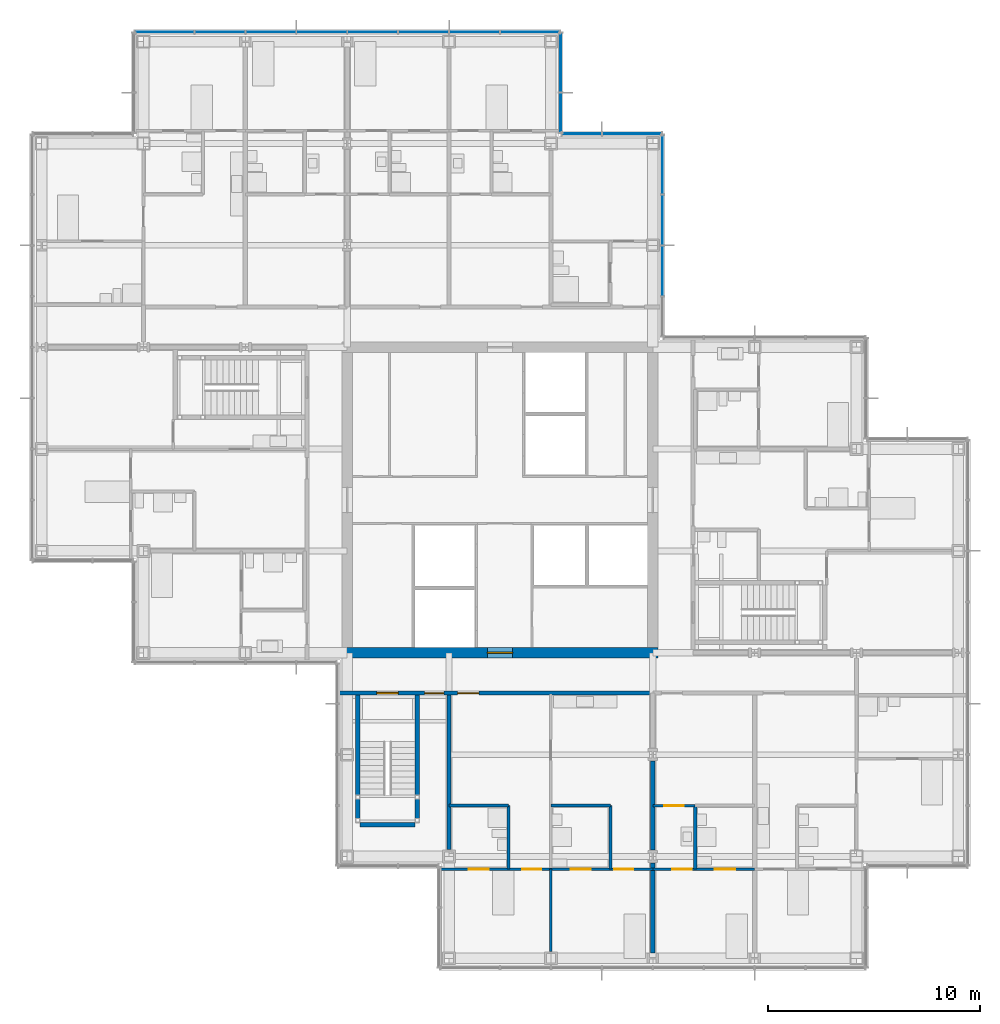
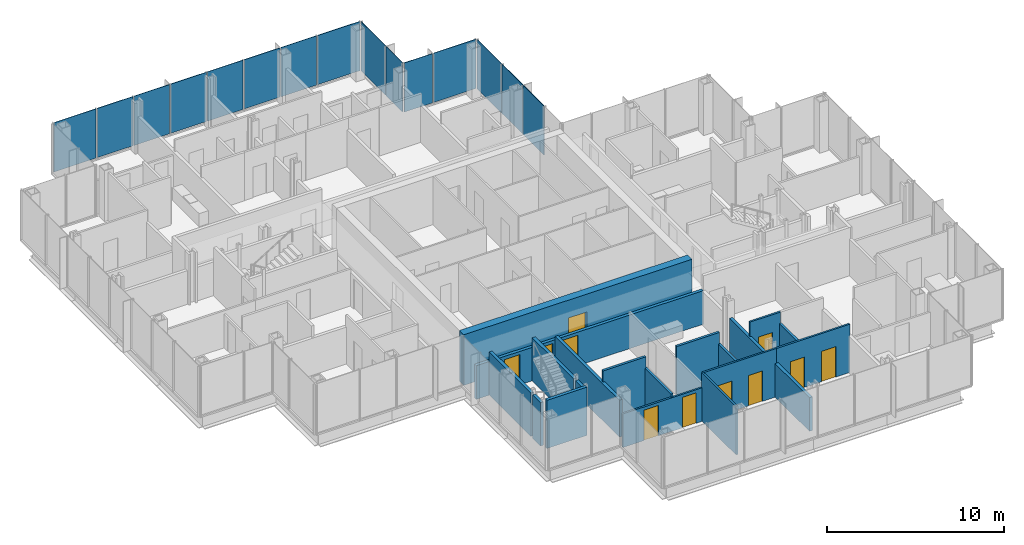
# One storey, part 13 of 20: 20 walls, 15 plates, 11 doors, 11 openings, 4 elements without a shape of their own.
"""IFC4 building model written with IfcOpenShell, lengths in metres."""

from ifc_helpers import new_model, si_unit, direction, frame, frame_2d, origin, origin_2d, place, context, subcontext, project, spatial, rectangle, extrude, material, layer, layer_set, type_object, element, fill, aggregate, save


model = new_model("IFC4")

# Units and contexts
model_context = context("Model", 3, precision=1e-05, world=origin(), true_north=direction((0.0, 1.0)))
body_context = subcontext(model_context, "Body", "Model", "MODEL_VIEW")
ifc_project = project(units=[si_unit("LENGTHUNIT", "METRE"), si_unit("AREAUNIT", "SQUARE_METRE"), si_unit("VOLUMEUNIT", "CUBIC_METRE"), si_unit("PLANEANGLEUNIT", "RADIAN"), si_unit("MASSUNIT", "GRAM", prefix="KILO")], contexts=[model_context])

# Site, building, storey
site_placement = place(None, origin())
site = spatial("IfcSite", under=ifc_project, at=site_placement, CompositionType="ELEMENT")
building_placement = place(site_placement, origin())
building = spatial("IfcBuilding", under=site, at=building_placement, Name="Kvirike Care Tower", CompositionType="ELEMENT")
storey_placement = place(building_placement, frame((0.0, 0.0, 115.5)))
storey = spatial("IfcBuildingStorey", under=building, at=storey_placement, Name="L31", CompositionType="ELEMENT", Elevation=115.5)

# Curtain wall, plates
ifc_material_1 = material(Name="Anodised aluminium stick system", Category="aluminium")
curtain_wall_type = type_object("IfcCurtainWallType", Name="CW-B STICK CURTAIN WALL", PredefinedType="NOTDEFINED", material=ifc_material_1)
curtain_wall_1_placement = place(storey_placement, origin())
curtain_wall_1 = element("IfcCurtainWall", 1, at=curtain_wall_1_placement, inside=storey, type_object=curtain_wall_type, Name="Curtain wall L31 face 5", PredefinedType="NOTDEFINED")
ifc_material_2 = material(Name="Tinted double glazed unit", Category="glass")
ifc_layer_1 = layer(ifc_material_2, 0.035888671875)
ifc_layer_set_1 = layer_set([ifc_layer_1], Name="TINTED VISION PANEL 36")
plate_type = type_object("IfcPlateType", Name="TINTED VISION PANEL 36", PredefinedType="CURTAIN_PANEL", material=ifc_layer_set_1)
plate_1_placement = place(storey_placement, frame((29.260009765625, 46.800048828125, 0.10009765625), z_axis=(0.0, 0.0, 1.0), x_axis=(0.0, 1.0, 0.0)))
plate_1 = element("IfcPlate", 2, at=plate_1_placement, type_object=plate_type, Name="CW-B panel L31 face 5.2", PredefinedType="CURTAIN_PANEL", context=body_context, shape_type="SweptSolid", body=[
    extrude(rectangle(XDim=2.3349609375, YDim=0.035888671875, at=origin_2d()), origin(), (0.0, 0.0, 1.0), 3.39990234375),
])
plate_2_placement = place(storey_placement, frame((29.260009765625, 49.199951171875, 0.10009765625), z_axis=(0.0, 0.0, 1.0), x_axis=(0.0, 1.0, 0.0)))
plate_2 = element("IfcPlate", 3, at=plate_2_placement, type_object=plate_type, Name="CW-B panel L31 face 5.3", PredefinedType="CURTAIN_PANEL", context=body_context, shape_type="SweptSolid", body=[
    extrude(rectangle(XDim=2.3349609375, YDim=0.035888671875, at=origin_2d()), origin(), (0.0, 0.0, 1.0), 3.39990234375),
])
plate_3_placement = place(storey_placement, frame((29.260009765625, 51.813720703125, 0.10009765625), z_axis=(0.0, 0.0, 1.0), x_axis=(0.0, 1.0, 0.0)))
plate_3 = element("IfcPlate", 4, at=plate_3_placement, type_object=plate_type, Name="CW-B panel L31 face 5.4", PredefinedType="CURTAIN_PANEL", context=body_context, shape_type="SweptSolid", body=[
    extrude(rectangle(XDim=2.762451171875, YDim=0.035888671875, at=origin_2d()), origin(), (0.0, 0.0, 1.0), 3.39990234375),
])
aggregate(curtain_wall_1, [plate_1, plate_2, plate_3])

curtain_wall_2_placement = place(storey_placement, origin())
curtain_wall_2 = element("IfcCurtainWall", 5, at=curtain_wall_2_placement, inside=storey, type_object=curtain_wall_type, Name="Curtain wall L31 face 6", PredefinedType="NOTDEFINED")
plate_4_placement = place(storey_placement, frame((27.813720703125, 53.260009765625, 0.10009765625), z_axis=(0.0, 0.0, 1.0), x_axis=(-1.0, 0.0, 0.0)))
plate_4 = element("IfcPlate", 6, at=plate_4_placement, type_object=plate_type, Name="CW-B panel L31 face 6.1", PredefinedType="CURTAIN_PANEL", context=body_context, shape_type="SweptSolid", body=[
    extrude(rectangle(XDim=2.762451171875, YDim=0.035888671875, at=origin_2d()), origin(), (0.0, 0.0, 1.0), 3.39990234375),
])
plate_5_placement = place(storey_placement, frame((25.4462890625, 53.260009765625, 0.10009765625), z_axis=(0.0, 0.0, 1.0), x_axis=(-1.0, 0.0, 0.0)))
plate_5 = element("IfcPlate", 7, at=plate_5_placement, type_object=plate_type, Name="CW-B panel L31 face 6.2", PredefinedType="CURTAIN_PANEL", context=body_context, shape_type="SweptSolid", body=[
    extrude(rectangle(XDim=1.842529296875, YDim=0.035888671875, at=origin_2d()), origin(), (0.0, 0.0, 1.0), 3.39990234375),
])
aggregate(curtain_wall_2, [plate_4, plate_5])

curtain_wall_3_placement = place(storey_placement, origin())
curtain_wall_3 = element("IfcCurtainWall", 8, at=curtain_wall_3_placement, inside=storey, type_object=curtain_wall_type, Name="Curtain wall L31 face 7", PredefinedType="NOTDEFINED")
plate_6_placement = place(storey_placement, frame((24.4599609375, 54.246337890625, 0.10009765625), z_axis=(0.0, 0.0, 1.0), x_axis=(0.0, 1.0, 0.0)))
plate_6 = element("IfcPlate", 9, at=plate_6_placement, type_object=plate_type, Name="CW-B panel L31 face 7.1", PredefinedType="CURTAIN_PANEL", context=body_context, shape_type="SweptSolid", body=[
    extrude(rectangle(XDim=1.842529296875, YDim=0.035888671875, at=origin_2d()), origin(), (0.0, 0.0, 1.0), 3.39990234375),
])
plate_7_placement = place(storey_placement, frame((24.4599609375, 56.61376953125, 0.10009765625), z_axis=(0.0, 0.0, 1.0), x_axis=(0.0, 1.0, 0.0)))
plate_7 = element("IfcPlate", 10, at=plate_7_placement, type_object=plate_type, Name="CW-B panel L31 face 7.2", PredefinedType="CURTAIN_PANEL", context=body_context, shape_type="SweptSolid", body=[
    extrude(rectangle(XDim=2.762451171875, YDim=0.035888671875, at=origin_2d()), origin(), (0.0, 0.0, 1.0), 3.39990234375),
])
aggregate(curtain_wall_3, [plate_6, plate_7])

curtain_wall_4_placement = place(storey_placement, origin())
curtain_wall_4 = element("IfcCurtainWall", 11, at=curtain_wall_4_placement, inside=storey, type_object=curtain_wall_type, Name="Curtain wall L31 face 8", PredefinedType="NOTDEFINED")
plate_8_placement = place(storey_placement, frame((23.013671875, 58.06005859375, 0.10009765625), z_axis=(0.0, 0.0, 1.0), x_axis=(-1.0, 0.0, 0.0)))
plate_8 = element("IfcPlate", 12, at=plate_8_placement, type_object=plate_type, Name="CW-B panel L31 face 8.1", PredefinedType="CURTAIN_PANEL", context=body_context, shape_type="SweptSolid", body=[
    extrude(rectangle(XDim=2.762451171875, YDim=0.035888671875, at=origin_2d()), origin(), (0.0, 0.0, 1.0), 3.39990234375),
])
plate_9_placement = place(storey_placement, frame((20.39990234375, 58.06005859375, 0.10009765625), z_axis=(0.0, 0.0, 1.0), x_axis=(-1.0, 0.0, 0.0)))
plate_9 = element("IfcPlate", 13, at=plate_9_placement, type_object=plate_type, Name="CW-B panel L31 face 8.2", PredefinedType="CURTAIN_PANEL", context=body_context, shape_type="SweptSolid", body=[
    extrude(rectangle(XDim=2.3349609375, YDim=0.035888671875, at=origin_2d()), origin(), (0.0, 0.0, 1.0), 3.39990234375),
])
plate_10_placement = place(storey_placement, frame((18.0, 58.06005859375, 0.10009765625), z_axis=(0.0, 0.0, 1.0), x_axis=(-1.0, 0.0, 0.0)))
plate_10 = element("IfcPlate", 14, at=plate_10_placement, type_object=plate_type, Name="CW-B panel L31 face 8.3", PredefinedType="CURTAIN_PANEL", context=body_context, shape_type="SweptSolid", body=[
    extrude(rectangle(XDim=2.3349609375, YDim=0.035888671875, at=origin_2d()), origin(), (0.0, 0.0, 1.0), 3.39990234375),
])
plate_11_placement = place(storey_placement, frame((15.60009765625, 58.06005859375, 0.10009765625), z_axis=(0.0, 0.0, 1.0), x_axis=(-1.0, 0.0, 0.0)))
plate_11 = element("IfcPlate", 15, at=plate_11_placement, type_object=plate_type, Name="CW-B panel L31 face 8.4", PredefinedType="CURTAIN_PANEL", context=body_context, shape_type="SweptSolid", body=[
    extrude(rectangle(XDim=2.3349609375, YDim=0.035888671875, at=origin_2d()), origin(), (0.0, 0.0, 1.0), 3.39990234375),
])
plate_12_placement = place(storey_placement, frame((13.199951171875, 58.06005859375, 0.10009765625), z_axis=(0.0, 0.0, 1.0), x_axis=(-1.0, 0.0, 0.0)))
plate_12 = element("IfcPlate", 16, at=plate_12_placement, type_object=plate_type, Name="CW-B panel L31 face 8.5", PredefinedType="CURTAIN_PANEL", context=body_context, shape_type="SweptSolid", body=[
    extrude(rectangle(XDim=2.3349609375, YDim=0.035888671875, at=origin_2d()), origin(), (0.0, 0.0, 1.0), 3.39990234375),
])
plate_13_placement = place(storey_placement, frame((10.800048828125, 58.06005859375, 0.10009765625), z_axis=(0.0, 0.0, 1.0), x_axis=(-1.0, 0.0, 0.0)))
plate_13 = element("IfcPlate", 17, at=plate_13_placement, type_object=plate_type, Name="CW-B panel L31 face 8.6", PredefinedType="CURTAIN_PANEL", context=body_context, shape_type="SweptSolid", body=[
    extrude(rectangle(XDim=2.3349609375, YDim=0.035888671875, at=origin_2d()), origin(), (0.0, 0.0, 1.0), 3.39990234375),
])
plate_14_placement = place(storey_placement, frame((8.39990234375, 58.06005859375, 0.10009765625), z_axis=(0.0, 0.0, 1.0), x_axis=(-1.0, 0.0, 0.0)))
plate_14 = element("IfcPlate", 18, at=plate_14_placement, type_object=plate_type, Name="CW-B panel L31 face 8.7", PredefinedType="CURTAIN_PANEL", context=body_context, shape_type="SweptSolid", body=[
    extrude(rectangle(XDim=2.3349609375, YDim=0.035888671875, at=origin_2d()), origin(), (0.0, 0.0, 1.0), 3.39990234375),
])
plate_15_placement = place(storey_placement, frame((5.7861328125, 58.06005859375, 0.10009765625), z_axis=(0.0, 0.0, 1.0), x_axis=(-1.0, 0.0, 0.0)))
plate_15 = element("IfcPlate", 19, at=plate_15_placement, type_object=plate_type, Name="CW-B panel L31 face 8.8", PredefinedType="CURTAIN_PANEL", context=body_context, shape_type="SweptSolid", body=[
    extrude(rectangle(XDim=2.762451171875, YDim=0.035888671875, at=origin_2d()), origin(), (0.0, 0.0, 1.0), 3.39990234375),
])
aggregate(curtain_wall_4, [plate_8, plate_9, plate_10, plate_11, plate_12, plate_13, plate_14, plate_15])

# Walls
ifc_material_3 = material(Name="Moisture-resistant board partition", Category="gypsum")
ifc_layer_2 = layer(ifc_material_3, 0.14990234375)
ifc_layer_set_2 = layer_set([ifc_layer_2], Name="BATHROOM WALL 150")
wall_type_1 = type_object("IfcWallType", Name="BATHROOM WALL 150", PredefinedType="PARTITIONING", material=ifc_layer_set_2)
wall_1_placement = place(storey_placement, frame((22.0, 18.60009765625, 0.0), z_axis=(0.0, 0.0, 1.0), x_axis=(0.0, 1.0, 0.0)))
element("IfcWall", 20, at=wall_1_placement, inside=storey, type_object=wall_type_1, Name="Bathroom Wall 150 L31", PredefinedType="PARTITIONING", context=body_context, shape_type="SweptSolid", body=[
    extrude(rectangle(XDim=3.0, YDim=0.14990234375, at=frame_2d((1.5, 0.0))), origin(), (0.0, 0.0, 1.0), 2.550048828125),
])
wall_2_placement = place(storey_placement, frame((19.199951171875, 21.60009765625, 0.0), z_axis=(0.0, 0.0, 1.0), x_axis=(1.0, 0.0, 0.0)))
element("IfcWall", 21, at=wall_2_placement, inside=storey, type_object=wall_type_1, Name="Bathroom Wall 150 L31", PredefinedType="PARTITIONING", context=body_context, shape_type="SweptSolid", body=[
    extrude(rectangle(XDim=2.800048828125, YDim=0.14990234375, at=frame_2d((1.39990234375, 0.0))), origin(), (0.0, 0.0, 1.0), 3.330078125),
])
wall_3_placement = place(storey_placement, frame((26.800048828125, 18.60009765625, 0.0), z_axis=(0.0, 0.0, 1.0), x_axis=(0.0, 1.0, 0.0)))
element("IfcWall", 22, at=wall_3_placement, inside=storey, type_object=wall_type_1, Name="Bathroom Wall 150 L31", PredefinedType="PARTITIONING", context=body_context, shape_type="SweptSolid", body=[
    extrude(rectangle(XDim=3.0, YDim=0.14990234375, at=frame_2d((1.5, 0.0))), origin(), (0.0, 0.0, 1.0), 2.550048828125),
])
wall_4_placement = place(storey_placement, frame((24.0, 21.60009765625, 0.0), z_axis=(0.0, 0.0, 1.0), x_axis=(1.0, 0.0, 0.0)))
element("IfcWall", 23, at=wall_4_placement, inside=storey, type_object=wall_type_1, Name="Bathroom Wall 150 L31", PredefinedType="PARTITIONING", context=body_context, shape_type="SweptSolid", body=[
    extrude(rectangle(XDim=2.800048828125, YDim=0.14990234375, at=frame_2d((1.39990234375, 0.0))), origin(), (0.0, 0.0, 1.0), 3.330078125),
])
wall_5_placement = place(storey_placement, frame((30.800048828125, 18.60009765625, 0.0), z_axis=(0.0, 0.0, 1.0), x_axis=(0.0, 1.0, 0.0)))
element("IfcWall", 24, at=wall_5_placement, inside=storey, type_object=wall_type_1, Name="Bathroom Wall 150 L31", PredefinedType="PARTITIONING", context=body_context, shape_type="SweptSolid", body=[
    extrude(rectangle(XDim=3.0, YDim=0.14990234375, at=frame_2d((1.5, 0.0))), origin(), (0.0, 0.0, 1.0), 2.550048828125),
])

# Wall, opening, door
ifc_material_4 = material(Name="Concrete C50/60", Category="concrete")
ifc_layer_3 = layer(ifc_material_4, 0.5)
ifc_layer_set_3 = layer_set([ifc_layer_3], Name="CORE WALL 500 C50-60")
wall_type_2 = type_object("IfcWallType", Name="CORE WALL 500 C50-60", PredefinedType="SHEAR", material=ifc_layer_set_3)
wall_6_placement = place(storey_placement, frame((14.14990234375, 28.800048828125, -0.169921875), z_axis=(0.0, 0.0, 1.0), x_axis=(1.0, 0.0, 0.0)))
wall_6 = element("IfcWall", 25, at=wall_6_placement, inside=storey, type_object=wall_type_2, Name="Core wall S L31", PredefinedType="SHEAR", context=body_context, shape_type="SweptSolid", body=[
    extrude(rectangle(XDim=14.900146484375, YDim=0.5, at=frame_2d((7.4501953125, 0.0))), origin(), (0.0, 0.0, 1.0), 3.5),
])
opening_1_placement = place(wall_6_placement, frame((6.85009765625, 0.0, 0.169921875)))
opening_1 = element("IfcOpeningElement", 26, at=opening_1_placement, cuts=wall_6, Name="Opening 31-068", PredefinedType="OPENING", context=body_context, shape_type="SweptSolid", body=[
    extrude(rectangle(XDim=1.199951171875, YDim=2.10009765625, at=frame_2d((0.60009765625, 1.050048828125))), frame((0.0, 0.260498046875, 0.0), z_axis=(0.0, -1.0, 0.0), x_axis=(1.0, 0.0, 0.0)), (0.0, 0.0, 1.0), 0.52099609375),
])
ifc_material_5 = material(Name="Timber door set", Category="wood")
door_type_1 = type_object("IfcDoorType", Name="CORE DOOR 1200", OperationType="SINGLE_SWING_LEFT", PredefinedType="DOOR", material=ifc_material_5)
door_1_placement = place(opening_1_placement, origin())
door_1 = element("IfcDoor", 27, at=door_1_placement, inside=storey, type_object=door_type_1, Name="Core door S L31", OperationType="SINGLE_SWING_LEFT", OverallHeight=2.10009765625, OverallWidth=1.199951171875, PredefinedType="DOOR", context=body_context, shape_type="SweptSolid", body=[
    extrude(rectangle(XDim=1.199951171875, YDim=2.10009765625, at=frame_2d((0.60009765625, 1.050048828125))), frame((0.0, 0.02685546875, 0.0), z_axis=(0.0, -1.0, 0.0), x_axis=(1.0, 0.0, 0.0)), (0.0, 0.0, 1.0), 0.053955078125),
])
fill(opening_1, door_1)

# Wall, openings, doors
ifc_material_6 = material(Name="Plasterboard corridor wall", Category="gypsum")
ifc_layer_4 = layer(ifc_material_6, 0.199951171875)
ifc_layer_set_4 = layer_set([ifc_layer_4], Name="CORRIDOR WALL 200")
wall_type_3 = type_object("IfcWallType", Name="CORRIDOR WALL 200", PredefinedType="PARTITIONING", material=ifc_layer_set_4)
wall_7_placement = place(storey_placement, frame((13.9599609375, 26.89990234375, 0.0), z_axis=(0.0, 0.0, 1.0), x_axis=(1.0, 0.0, 0.0)))
wall_7 = element("IfcWall", 28, at=wall_7_placement, inside=storey, type_object=wall_type_3, Name="Corridor Wall 200 L31", PredefinedType="PARTITIONING", context=body_context, shape_type="SweptSolid", body=[
    extrude(rectangle(XDim=14.840087890625, YDim=0.199951171875, at=frame_2d((7.419921875, 0.0))), origin(), (0.0, 0.0, 1.0), 2.320068359375),
])
opening_2_placement = place(wall_7_placement, frame((1.840087890625, 0.0, 0.0)))
opening_2 = element("IfcOpeningElement", 29, at=opening_2_placement, cuts=wall_7, Name="Opening 31-024", PredefinedType="OPENING", context=body_context, shape_type="SweptSolid", body=[
    extrude(rectangle(XDim=1.0, YDim=2.10009765625, at=frame_2d((0.5, 1.050048828125))), frame((0.0, 0.110595703125, 0.0), z_axis=(0.0, -1.0, 0.0), x_axis=(1.0, 0.0, 0.0)), (0.0, 0.0, 1.0), 0.220947265625),
])
opening_3_placement = place(wall_7_placement, frame((4.090087890625, 0.0, 0.0)))
opening_3 = element("IfcOpeningElement", 30, at=opening_3_placement, cuts=wall_7, Name="Opening 31-025", PredefinedType="OPENING", context=body_context, shape_type="SweptSolid", body=[
    extrude(rectangle(XDim=0.89990234375, YDim=2.10009765625, at=frame_2d((0.449951171875, 1.050048828125))), frame((0.0, 0.110595703125, 0.0), z_axis=(0.0, -1.0, 0.0), x_axis=(1.0, 0.0, 0.0)), (0.0, 0.0, 1.0), 0.220947265625),
])
opening_4_placement = place(wall_7_placement, frame((5.639892578125, 0.0, 0.0)))
opening_4 = element("IfcOpeningElement", 31, at=opening_4_placement, cuts=wall_7, Name="Opening 31-026", PredefinedType="OPENING", context=body_context, shape_type="SweptSolid", body=[
    extrude(rectangle(XDim=1.0, YDim=2.10009765625, at=frame_2d((0.5, 1.050048828125))), frame((0.0, 0.110595703125, 0.0), z_axis=(0.0, -1.0, 0.0), x_axis=(1.0, 0.0, 0.0)), (0.0, 0.0, 1.0), 0.220947265625),
])
ifc_material_7 = material(Name="Timber door set", Category="wood")
door_type_2 = type_object("IfcDoorType", Name="FLAT ENTRANCE DOOR 1000", OperationType="SINGLE_SWING_LEFT", PredefinedType="DOOR", material=ifc_material_7)
door_2_placement = place(opening_4_placement, frame((1.0, 0.0, 0.0), z_axis=(0.0, 0.0, 1.0), x_axis=(-1.0, 0.0, 0.0)))
door_2 = element("IfcDoor", 32, at=door_2_placement, inside=storey, type_object=door_type_2, Name="Two-bedroom assisted living suite entrance", OperationType="SINGLE_SWING_LEFT", OverallHeight=2.10009765625, OverallWidth=1.0, PredefinedType="DOOR", context=body_context, shape_type="SweptSolid", body=[
    extrude(rectangle(XDim=1.0, YDim=2.10009765625, at=frame_2d((0.5, 1.050048828125))), frame((0.0, 0.02685546875, 0.0), z_axis=(0.0, -1.0, 0.0), x_axis=(1.0, 0.0, 0.0)), (0.0, 0.0, 1.0), 0.053955078125),
])
fill(opening_4, door_2)
ifc_material_8 = material(Name="Timber door set", Category="wood")
door_type_3 = type_object("IfcDoorType", Name="STAIR DOOR 1000", OperationType="SINGLE_SWING_LEFT", PredefinedType="DOOR", material=ifc_material_8)
door_3_placement = place(opening_2_placement, frame((1.0, 0.0, 0.0), z_axis=(0.0, 0.0, 1.0), x_axis=(-1.0, 0.0, 0.0)))
door_3 = element("IfcDoor", 33, at=door_3_placement, inside=storey, type_object=door_type_3, Name="Stair 5 door", OperationType="SINGLE_SWING_LEFT", OverallHeight=2.10009765625, OverallWidth=1.0, PredefinedType="DOOR", context=body_context, shape_type="SweptSolid", body=[
    extrude(rectangle(XDim=1.0, YDim=2.10009765625, at=frame_2d((0.5, 1.050048828125))), frame((0.0, 0.031982421875, 0.0), z_axis=(0.0, -1.0, 0.0), x_axis=(1.0, 0.0, 0.0)), (0.0, 0.0, 1.0), 0.06396484375),
])
fill(opening_2, door_3)
ifc_material_9 = material(Name="Timber door set", Category="wood")
door_type_4 = type_object("IfcDoorType", Name="STORE DOOR 900", OperationType="SINGLE_SWING_LEFT", PredefinedType="DOOR", material=ifc_material_9)
door_4_placement = place(opening_3_placement, frame((0.89990234375, 0.0, 0.0), z_axis=(0.0, 0.0, 1.0), x_axis=(-1.0, 0.0, 0.0)))
door_4 = element("IfcDoor", 34, at=door_4_placement, inside=storey, type_object=door_type_4, Name="Housekeeping room door", OperationType="SINGLE_SWING_LEFT", OverallHeight=2.10009765625, OverallWidth=0.89990234375, PredefinedType="DOOR", context=body_context, shape_type="SweptSolid", body=[
    extrude(rectangle(XDim=0.89990234375, YDim=2.10009765625, at=frame_2d((0.449951171875, 1.050048828125))), frame((0.0, 0.02685546875, 0.0), z_axis=(0.0, -1.0, 0.0), x_axis=(1.0, 0.0, 0.0)), (0.0, 0.0, 1.0), 0.053955078125),
])
fill(opening_3, door_4)

ifc_material_10 = material(Name="Plasterboard partition", Category="gypsum")
ifc_layer_5 = layer(ifc_material_10, 0.1201171875)
ifc_layer_set_5 = layer_set([ifc_layer_5], Name="PARTITION 120")
wall_type_4 = type_object("IfcWallType", Name="PARTITION 120", PredefinedType="PARTITIONING", material=ifc_layer_set_5)
wall_8_placement = place(storey_placement, frame((18.760009765625, 18.60009765625, 0.0), z_axis=(0.0, 0.0, 1.0), x_axis=(1.0, 0.0, 0.0)))
wall_8 = element("IfcWall", 35, at=wall_8_placement, inside=storey, type_object=wall_type_4, Name="Partition 120 L31", PredefinedType="PARTITIONING", context=body_context, shape_type="SweptSolid", body=[
    extrude(rectangle(XDim=5.239990234375, YDim=0.1201171875, at=frame_2d((2.6201171875, 0.0))), origin(), (0.0, 0.0, 1.0), 2.320068359375),
])
opening_5_placement = place(wall_8_placement, frame((3.889892578125, 0.0, 0.0)))
opening_5 = element("IfcOpeningElement", 36, at=opening_5_placement, cuts=wall_8, Name="Opening 31-020", PredefinedType="OPENING", context=body_context, shape_type="SweptSolid", body=[
    extrude(rectangle(XDim=0.89990234375, YDim=2.10009765625, at=frame_2d((0.449951171875, 1.050048828125))), frame((0.0, 0.070556640625, 0.0), z_axis=(0.0, -1.0, 0.0), x_axis=(1.0, 0.0, 0.0)), (0.0, 0.0, 1.0), 0.14111328125),
])
opening_6_placement = place(wall_8_placement, frame((1.364990234375, 0.0, 0.0)))
opening_6 = element("IfcOpeningElement", 37, at=opening_6_placement, cuts=wall_8, Name="Opening 31-021", PredefinedType="OPENING", context=body_context, shape_type="SweptSolid", body=[
    extrude(rectangle(XDim=0.949951171875, YDim=2.10009765625, at=frame_2d((0.47509765625, 1.050048828125))), frame((0.0, 0.070556640625, 0.0), z_axis=(0.0, -1.0, 0.0), x_axis=(1.0, 0.0, 0.0)), (0.0, 0.0, 1.0), 0.14111328125),
])
ifc_material_11 = material(Name="Timber door set", Category="wood")
door_type_5 = type_object("IfcDoorType", Name="EN-SUITE SLIDING DOOR 950", OperationType="SLIDING_TO_LEFT", PredefinedType="DOOR", material=ifc_material_11)
door_5_placement = place(opening_6_placement, origin())
door_5 = element("IfcDoor", 38, at=door_5_placement, inside=storey, type_object=door_type_5, Name="En-suite door", OperationType="SLIDING_TO_RIGHT", OverallHeight=2.10009765625, OverallWidth=0.949951171875, PredefinedType="DOOR", context=body_context, shape_type="SweptSolid", body=[
    extrude(rectangle(XDim=0.949951171875, YDim=2.10009765625, at=frame_2d((0.47509765625, 1.050048828125))), frame((0.0, 0.02197265625, 0.0), z_axis=(0.0, -1.0, 0.0), x_axis=(1.0, 0.0, 0.0)), (0.0, 0.0, 1.0), 0.0439453125),
])
fill(opening_6, door_5)
ifc_material_12 = material(Name="Timber door set", Category="wood")
door_type_6 = type_object("IfcDoorType", Name="INTERNAL DOOR 900", OperationType="SINGLE_SWING_LEFT", PredefinedType="DOOR", material=ifc_material_12)
door_6_placement = place(opening_5_placement, frame((0.89990234375, 0.0, 0.0), z_axis=(0.0, 0.0, 1.0), x_axis=(-1.0, 0.0, 0.0)))
door_6 = element("IfcDoor", 39, at=door_6_placement, inside=storey, type_object=door_type_6, Name="Assisted living suite door", OperationType="SINGLE_SWING_LEFT", OverallHeight=2.10009765625, OverallWidth=0.89990234375, PredefinedType="DOOR", context=body_context, shape_type="SweptSolid", body=[
    extrude(rectangle(XDim=0.89990234375, YDim=2.10009765625, at=frame_2d((0.449951171875, 1.050048828125))), frame((0.0, 0.02197265625, 0.0), z_axis=(0.0, -1.0, 0.0), x_axis=(1.0, 0.0, 0.0)), (0.0, 0.0, 1.0), 0.0439453125),
])
fill(opening_5, door_6)

wall_9_placement = place(storey_placement, frame((24.0, 18.60009765625, 0.0), z_axis=(0.0, 0.0, 1.0), x_axis=(1.0, 0.0, 0.0)))
wall_9 = element("IfcWall", 40, at=wall_9_placement, inside=storey, type_object=wall_type_4, Name="Partition 120 L31", PredefinedType="PARTITIONING", context=body_context, shape_type="SweptSolid", body=[
    extrude(rectangle(XDim=4.800048828125, YDim=0.1201171875, at=frame_2d((2.39990234375, 0.0))), origin(), (0.0, 0.0, 1.0), 3.330078125),
])
opening_7_placement = place(wall_9_placement, frame((2.97509765625, 0.0, 0.0)))
opening_7 = element("IfcOpeningElement", 41, at=opening_7_placement, cuts=wall_9, Name="Opening 31-022", PredefinedType="OPENING", context=body_context, shape_type="SweptSolid", body=[
    extrude(rectangle(XDim=0.89990234375, YDim=2.10009765625, at=frame_2d((0.449951171875, 1.050048828125))), frame((0.0, 0.070556640625, 0.0), z_axis=(0.0, -1.0, 0.0), x_axis=(1.0, 0.0, 0.0)), (0.0, 0.0, 1.0), 0.14111328125),
])
opening_8_placement = place(wall_9_placement, frame((0.925048828125, 0.0, 0.0)))
opening_8 = element("IfcOpeningElement", 42, at=opening_8_placement, cuts=wall_9, Name="Opening 31-023", PredefinedType="OPENING", context=body_context, shape_type="SweptSolid", body=[
    extrude(rectangle(XDim=0.949951171875, YDim=2.10009765625, at=frame_2d((0.47509765625, 1.050048828125))), frame((0.0, 0.070556640625, 0.0), z_axis=(0.0, -1.0, 0.0), x_axis=(1.0, 0.0, 0.0)), (0.0, 0.0, 1.0), 0.14111328125),
])
door_7_placement = place(opening_8_placement, origin())
door_7 = element("IfcDoor", 43, at=door_7_placement, inside=storey, type_object=door_type_5, Name="En-suite door", OperationType="SLIDING_TO_LEFT", OverallHeight=2.10009765625, OverallWidth=0.949951171875, PredefinedType="DOOR", context=body_context, shape_type="SweptSolid", body=[
    extrude(rectangle(XDim=0.949951171875, YDim=2.10009765625, at=frame_2d((0.47509765625, 1.050048828125))), frame((0.0, 0.02197265625, 0.0), z_axis=(0.0, -1.0, 0.0), x_axis=(1.0, 0.0, 0.0)), (0.0, 0.0, 1.0), 0.0439453125),
])
fill(opening_8, door_7)
door_8_placement = place(opening_7_placement, frame((0.89990234375, 0.0, 0.0), z_axis=(0.0, 0.0, 1.0), x_axis=(-1.0, 0.0, 0.0)))
door_8 = element("IfcDoor", 44, at=door_8_placement, inside=storey, type_object=door_type_6, Name="Assisted living suite door", OperationType="SINGLE_SWING_RIGHT", OverallHeight=2.10009765625, OverallWidth=0.89990234375, PredefinedType="DOOR", context=body_context, shape_type="SweptSolid", body=[
    extrude(rectangle(XDim=0.89990234375, YDim=2.10009765625, at=frame_2d((0.449951171875, 1.050048828125))), frame((0.0, 0.02197265625, 0.0), z_axis=(0.0, -1.0, 0.0), x_axis=(1.0, 0.0, 0.0)), (0.0, 0.0, 1.0), 0.0439453125),
])
fill(opening_7, door_8)

# Wall
wall_10_placement = place(storey_placement, frame((24.0, 14.719970703125, 0.0), z_axis=(0.0, 0.0, 1.0), x_axis=(0.0, 1.0, 0.0)))
element("IfcWall", 45, at=wall_10_placement, inside=storey, type_object=wall_type_4, Name="Partition 120 L31", PredefinedType="PARTITIONING", context=body_context, shape_type="SweptSolid", body=[
    extrude(rectangle(XDim=3.880126953125, YDim=0.1201171875, at=frame_2d((1.93994140625, 0.0))), origin(), (0.0, 0.0, 1.0), 3.330078125),
])

# Wall, opening, door
wall_11_placement = place(storey_placement, frame((28.800048828125, 21.60009765625, 0.0), z_axis=(0.0, 0.0, 1.0), x_axis=(1.0, 0.0, 0.0)))
wall_11 = element("IfcWall", 46, at=wall_11_placement, inside=storey, type_object=wall_type_4, Name="Partition 120 L31", PredefinedType="PARTITIONING", context=body_context, shape_type="SweptSolid", body=[
    extrude(rectangle(XDim=2.0, YDim=0.1201171875, at=frame_2d((1.0, 0.0))), origin(), (0.0, 0.0, 1.0), 3.330078125),
])
opening_9_placement = place(wall_11_placement, frame((0.550048828125, 0.0, 0.0)))
opening_9 = element("IfcOpeningElement", 47, at=opening_9_placement, cuts=wall_11, Name="Opening 31-038", PredefinedType="OPENING", context=body_context, shape_type="SweptSolid", body=[
    extrude(rectangle(XDim=0.89990234375, YDim=2.10009765625, at=frame_2d((0.449951171875, 1.050048828125))), frame((0.0, 0.070556640625, 0.0), z_axis=(0.0, -1.0, 0.0), x_axis=(1.0, 0.0, 0.0)), (0.0, 0.0, 1.0), 0.14111328125),
])
door_9_placement = place(opening_9_placement, frame((0.89990234375, 0.0, 0.0), z_axis=(0.0, 0.0, 1.0), x_axis=(-1.0, 0.0, 0.0)))
door_9 = element("IfcDoor", 48, at=door_9_placement, inside=storey, type_object=door_type_6, Name="Kitchen door", OperationType="SINGLE_SWING_LEFT", OverallHeight=2.10009765625, OverallWidth=0.89990234375, PredefinedType="DOOR", context=body_context, shape_type="SweptSolid", body=[
    extrude(rectangle(XDim=0.89990234375, YDim=2.10009765625, at=frame_2d((0.449951171875, 1.050048828125))), frame((0.0, 0.02197265625, 0.0), z_axis=(0.0, -1.0, 0.0), x_axis=(1.0, 0.0, 0.0)), (0.0, 0.0, 1.0), 0.0439453125),
])
fill(opening_9, door_9)

# Wall, openings, doors
wall_12_placement = place(storey_placement, frame((28.800048828125, 18.60009765625, 0.0), z_axis=(0.0, 0.0, 1.0), x_axis=(1.0, 0.0, 0.0)))
wall_12 = element("IfcWall", 49, at=wall_12_placement, inside=storey, type_object=wall_type_4, Name="Partition 120 L31", PredefinedType="PARTITIONING", context=body_context, shape_type="SweptSolid", body=[
    extrude(rectangle(XDim=4.800048828125, YDim=0.1201171875, at=frame_2d((2.39990234375, 0.0))), origin(), (0.0, 0.0, 1.0), 3.330078125),
])
opening_10_placement = place(wall_12_placement, frame((0.925048828125, 0.0, 0.0)))
opening_10 = element("IfcOpeningElement", 50, at=opening_10_placement, cuts=wall_12, Name="Opening 31-039", PredefinedType="OPENING", context=body_context, shape_type="SweptSolid", body=[
    extrude(rectangle(XDim=0.89990234375, YDim=2.10009765625, at=frame_2d((0.449951171875, 1.050048828125))), frame((0.0, 0.070556640625, 0.0), z_axis=(0.0, -1.0, 0.0), x_axis=(1.0, 0.0, 0.0)), (0.0, 0.0, 1.0), 0.14111328125),
])
opening_11_placement = place(wall_12_placement, frame((2.925048828125, 0.0, 0.0)))
opening_11 = element("IfcOpeningElement", 51, at=opening_11_placement, cuts=wall_12, Name="Opening 31-040", PredefinedType="OPENING", context=body_context, shape_type="SweptSolid", body=[
    extrude(rectangle(XDim=0.949951171875, YDim=2.10009765625, at=frame_2d((0.47509765625, 1.050048828125))), frame((0.0, 0.070556640625, 0.0), z_axis=(0.0, -1.0, 0.0), x_axis=(1.0, 0.0, 0.0)), (0.0, 0.0, 1.0), 0.14111328125),
])
door_10_placement = place(opening_11_placement, origin())
door_10 = element("IfcDoor", 52, at=door_10_placement, inside=storey, type_object=door_type_5, Name="En-suite door", OperationType="SLIDING_TO_LEFT", OverallHeight=2.10009765625, OverallWidth=0.949951171875, PredefinedType="DOOR", context=body_context, shape_type="SweptSolid", body=[
    extrude(rectangle(XDim=0.949951171875, YDim=2.10009765625, at=frame_2d((0.47509765625, 1.050048828125))), frame((0.0, 0.02197265625, 0.0), z_axis=(0.0, -1.0, 0.0), x_axis=(1.0, 0.0, 0.0)), (0.0, 0.0, 1.0), 0.0439453125),
])
fill(opening_11, door_10)
door_11_placement = place(opening_10_placement, origin())
door_11 = element("IfcDoor", 53, at=door_11_placement, inside=storey, type_object=door_type_6, Name="Assisted living suite door", OperationType="SINGLE_SWING_LEFT", OverallHeight=2.10009765625, OverallWidth=0.89990234375, PredefinedType="DOOR", context=body_context, shape_type="SweptSolid", body=[
    extrude(rectangle(XDim=0.89990234375, YDim=2.10009765625, at=frame_2d((0.449951171875, 1.050048828125))), frame((0.0, 0.02197265625, 0.0), z_axis=(0.0, -1.0, 0.0), x_axis=(1.0, 0.0, 0.0)), (0.0, 0.0, 1.0), 0.0439453125),
])
fill(opening_10, door_11)

# Walls
ifc_material_13 = material(Name="Plasterboard party wall", Category="gypsum")
ifc_layer_6 = layer(ifc_material_13, 0.199951171875)
ifc_layer_set_6 = layer_set([ifc_layer_6], Name="PARTY WALL 200")
wall_type_5 = type_object("IfcWallType", Name="PARTY WALL 200", PredefinedType="PARTITIONING", material=ifc_layer_set_6)
wall_13_placement = place(storey_placement, frame((19.199951171875, 19.52001953125, 0.0), z_axis=(0.0, 0.0, 1.0), x_axis=(0.0, 1.0, 0.0)))
element("IfcWall", 54, at=wall_13_placement, inside=storey, type_object=wall_type_5, Name="Party Wall 200 L31", PredefinedType="PARTITIONING", context=body_context, shape_type="SweptSolid", body=[
    extrude(rectangle(XDim=7.280029296875, YDim=0.199951171875, at=frame_2d((3.64013671875, 0.0))), origin(), (0.0, 0.0, 1.0), 2.550048828125),
])
wall_14_placement = place(storey_placement, frame((28.800048828125, 14.64404296875, 0.0), z_axis=(0.0, 0.0, 1.0), x_axis=(0.0, 1.0, 0.0)))
element("IfcWall", 55, at=wall_14_placement, inside=storey, type_object=wall_type_5, Name="Party Wall 200 L31", PredefinedType="PARTITIONING", context=body_context, shape_type="SweptSolid", body=[
    extrude(rectangle(XDim=4.25146484375, YDim=0.199951171875, at=frame_2d((2.125732421875, 0.0))), origin(), (0.0, 0.0, 1.0), 2.320068359375),
])
wall_15_placement = place(storey_placement, frame((28.800048828125, 19.50439453125, 0.0), z_axis=(0.0, 0.0, 1.0), x_axis=(0.0, 1.0, 0.0)))
element("IfcWall", 56, at=wall_15_placement, inside=storey, type_object=wall_type_5, Name="Party Wall 200 L31", PredefinedType="PARTITIONING", context=body_context, shape_type="SweptSolid", body=[
    extrude(rectangle(XDim=4.191162109375, YDim=0.199951171875, at=frame_2d((2.095703125, 0.0))), origin(), (0.0, 0.0, 1.0), 2.320068359375),
])
ifc_material_14 = material(Name="Concrete C40/50", Category="concrete")
ifc_layer_7 = layer(ifc_material_14, 0.199951171875)
ifc_layer_set_7 = layer_set([ifc_layer_7], Name="STAIR WALL 200")
wall_type_6 = type_object("IfcWallType", Name="STAIR WALL 200", PredefinedType="SOLIDWALL", material=ifc_layer_set_7)
wall_16_placement = place(storey_placement, frame((14.89990234375, 21.0, 0.0), z_axis=(0.0, 0.0, 1.0), x_axis=(0.0, 1.0, 0.0)))
element("IfcWall", 57, at=wall_16_placement, inside=storey, type_object=wall_type_6, Name="Stair Wall 200 L31", PredefinedType="SOLIDWALL", context=body_context, shape_type="SweptSolid", body=[
    extrude(rectangle(XDim=0.89990234375, YDim=0.199951171875, at=frame_2d((0.449951171875, 0.0))), origin(), (0.0, 0.0, 1.0), 2.989990234375),
])
wall_17_placement = place(storey_placement, frame((14.89990234375, 22.10009765625, 0.0), z_axis=(0.0, 0.0, 1.0), x_axis=(0.0, 1.0, 0.0)))
element("IfcWall", 58, at=wall_17_placement, inside=storey, type_object=wall_type_6, Name="Stair Wall 200 L31", PredefinedType="SOLIDWALL", context=body_context, shape_type="SweptSolid", body=[
    extrude(rectangle(XDim=4.699951171875, YDim=0.199951171875, at=frame_2d((2.35009765625, 0.0))), origin(), (0.0, 0.0, 1.0), 2.989990234375),
])
wall_18_placement = place(storey_placement, frame((17.699951171875, 21.0, 0.0), z_axis=(0.0, 0.0, 1.0), x_axis=(0.0, 1.0, 0.0)))
element("IfcWall", 59, at=wall_18_placement, inside=storey, type_object=wall_type_6, Name="Stair Wall 200 L31", PredefinedType="SOLIDWALL", context=body_context, shape_type="SweptSolid", body=[
    extrude(rectangle(XDim=0.89990234375, YDim=0.199951171875, at=frame_2d((0.449951171875, 0.0))), origin(), (0.0, 0.0, 1.0), 2.989990234375),
])
wall_19_placement = place(storey_placement, frame((17.699951171875, 22.10009765625, 0.0), z_axis=(0.0, 0.0, 1.0), x_axis=(0.0, 1.0, 0.0)))
element("IfcWall", 60, at=wall_19_placement, inside=storey, type_object=wall_type_6, Name="Stair Wall 200 L31", PredefinedType="SOLIDWALL", context=body_context, shape_type="SweptSolid", body=[
    extrude(rectangle(XDim=4.699951171875, YDim=0.199951171875, at=frame_2d((2.35009765625, 0.0))), origin(), (0.0, 0.0, 1.0), 2.989990234375),
])
wall_20_placement = place(storey_placement, frame((15.0, 20.699951171875, 0.0), z_axis=(0.0, 0.0, 1.0), x_axis=(1.0, 0.0, 0.0)))
element("IfcWall", 61, at=wall_20_placement, inside=storey, type_object=wall_type_6, Name="Stair Wall 200 L31", PredefinedType="SOLIDWALL", context=body_context, shape_type="SweptSolid", body=[
    extrude(rectangle(XDim=2.60009765625, YDim=0.199951171875, at=frame_2d((1.300048828125, 0.0))), origin(), (0.0, 0.0, 1.0), 3.330078125),
])

save(model, "model.ifc")
